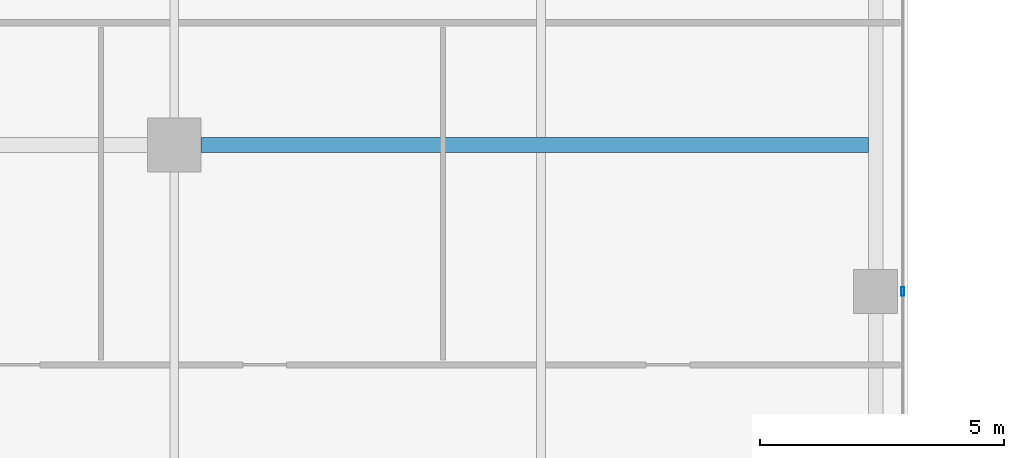
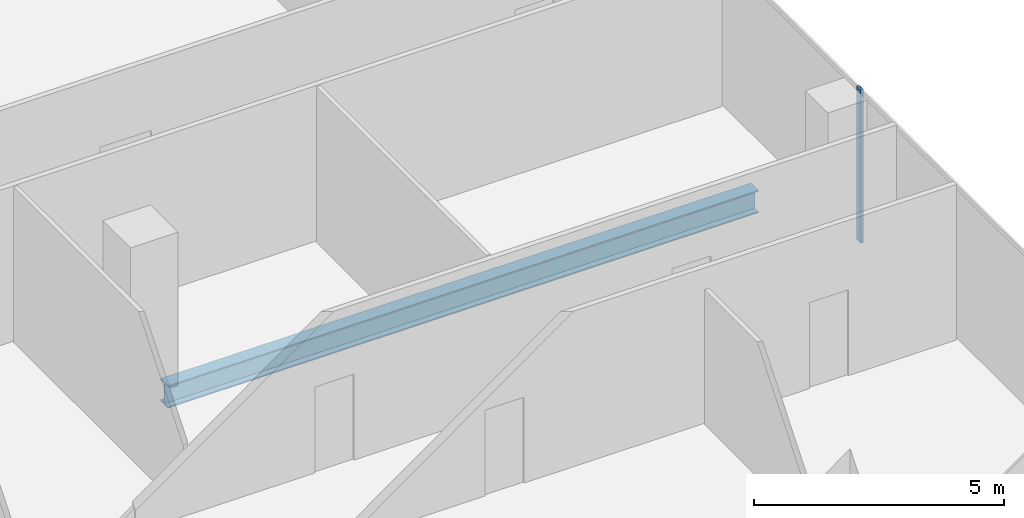
# One storey, part 12 of 34: 1 beam, 1 member, 1 element without a shape of its own.
"""IFC4 building model written with IfcOpenShell, lengths in metres."""

from ifc_helpers import new_model, si_unit, direction, frame, origin, origin_2d, place, context, subcontext, project, spatial, hollow_rectangle, i_section, extrude, source, transform, mapped, material, material_profile, profile_set, type_object, element, aggregate, save


model = new_model("IFC4")

# Units and contexts
model_context = context("Model", 3, precision=1e-05, world=origin(), true_north=direction((0.0, 1.0)))
body_context = subcontext(model_context, "Body", "Model", "MODEL_VIEW")
ifc_project = project(units=[si_unit("LENGTHUNIT", "METRE"), si_unit("AREAUNIT", "SQUARE_METRE"), si_unit("VOLUMEUNIT", "CUBIC_METRE"), si_unit("PLANEANGLEUNIT", "RADIAN"), si_unit("MASSUNIT", "GRAM", prefix="KILO")], contexts=[model_context])

# Site, building, storey
site_placement = place(None, origin())
site = spatial("IfcSite", under=ifc_project, at=site_placement, CompositionType="ELEMENT")
building_placement = place(site_placement, origin())
building = spatial("IfcBuilding", under=site, at=building_placement, Name="Khomas Fold Tower", CompositionType="ELEMENT")
storey_placement = place(building_placement, frame((0.0, 0.0, 242.199951171875)))
storey = spatial("IfcBuildingStorey", under=building, at=storey_placement, Name="L54", CompositionType="ELEMENT", Elevation=242.199951171875)

# Beam
ifc_material_1 = material(Name="Steel S355", Category="steel")
ifc_material_profile_1 = material_profile(ifc_material_1, i_section(OverallWidth=0.300048828125, OverallDepth=0.550048828125, WebThickness=0.014892578125, FlangeThickness=0.029052734375, at=origin_2d()), Name="HE 550 B")
ifc_profile_set_1 = profile_set([ifc_material_profile_1], Name="Steel S355")
beam_type = type_object("IfcBeamType", Name="HE 550 B beam GB4", PredefinedType="BEAM", material=ifc_profile_set_1)
shared_shape_1 = source(origin(), body_context, "Body", "SweptSolid", [
    extrude(i_section(OverallWidth=0.300048828125, OverallDepth=0.550048828125, WebThickness=0.014892578125, FlangeThickness=0.029052734375, at=origin_2d()), origin(), (0.0, 0.0, 1.0), 13.64990234375),
])
beam_placement = place(storey_placement, frame((35.050048828125, 22.5, -0.52490234375), z_axis=(1.0, 0.0, 0.0), x_axis=(0.0, 1.0, 0.0)))
element("IfcBeam", 1, at=beam_placement, inside=storey, type_object=beam_type, Name="GB4", PredefinedType="BEAM", context=body_context, shape_type="MappedRepresentation", body=[
    mapped(shared_shape_1, transform((0.0, 0.0, 0.0))),
])

# Curtain wall, member
ifc_material_2 = material(Name="Aluminium framed double glazing", Category="aluminium")
curtain_wall_type = type_object("IfcCurtainWallType", Name="SK-Unitised clear-glass wall, office floors CW2", PredefinedType="NOTDEFINED", material=ifc_material_2)
curtain_wall_placement = place(storey_placement, origin())
curtain_wall = element("IfcCurtainWall", 2, at=curtain_wall_placement, inside=storey, type_object=curtain_wall_type, Name="CW2 run L54 03-0", PredefinedType="NOTDEFINED")
ifc_material_3 = material(Name="Aluminium", Category="aluminium")
ifc_material_profile_2 = material_profile(ifc_material_3, hollow_rectangle(XDim=0.06005859375, YDim=0.179931640625, WallThickness=0.00390625, at=origin_2d()), Name="SK-Unitised clear-glass wall, office floors mullion CW2-M")
ifc_profile_set_2 = profile_set([ifc_material_profile_2], Name="Aluminium")
member_type = type_object("IfcMemberType", Name="SK-Unitised clear-glass wall, office floors mullion CW2-M", PredefinedType="MULLION", material=ifc_profile_set_2)
shared_shape_2 = source(origin(), body_context, "Body", "SweptSolid", [
    extrude(hollow_rectangle(XDim=0.06005859375, YDim=0.179931640625, WallThickness=0.00390625, at=origin_2d()), origin(), (0.0, 0.0, 1.0), 3.75),
])
member_placement = place(storey_placement, frame((49.39990234375, 19.5, 0.0), z_axis=(0.0, 0.0, 1.0), x_axis=(-1.0, 0.0, 0.0)))
member = element("IfcMember", 3, at=member_placement, type_object=member_type, Name="CW2 mullion 3", PredefinedType="MULLION", context=body_context, shape_type="MappedRepresentation", body=[
    mapped(shared_shape_2, transform((0.0, 0.0, 0.0))),
])
aggregate(curtain_wall, [member])

save(model, "model.ifc")
